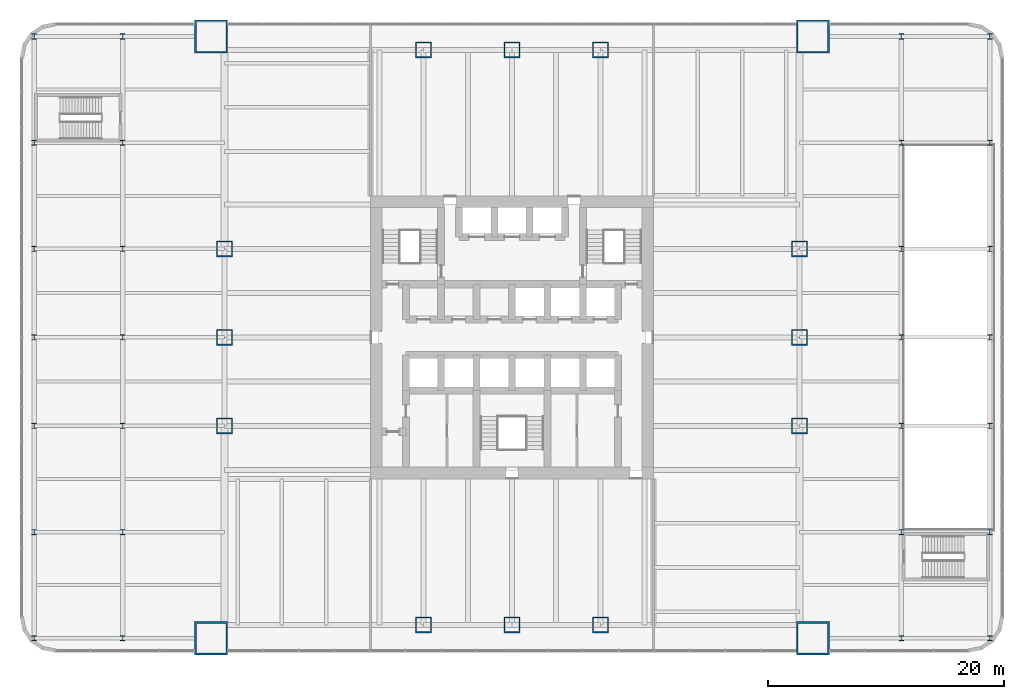
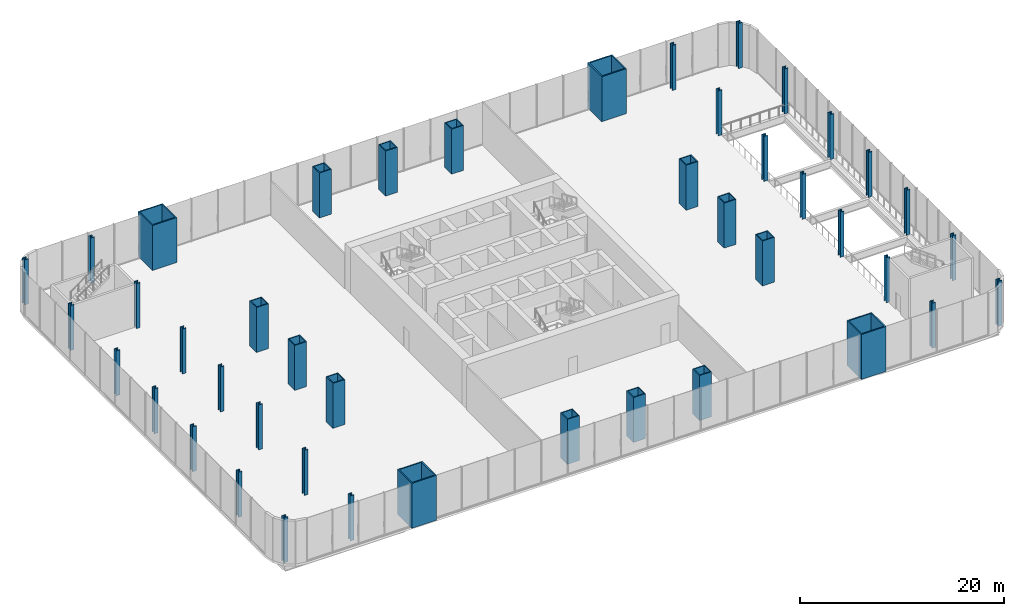
# One storey, part 1 of 16: 44 columns.
"""IFC4 building model written with IfcOpenShell, lengths in metres."""

from ifc_helpers import new_model, si_unit, direction, frame, origin, origin_2d, place, context, subcontext, project, spatial, hollow_rectangle, i_section, extrude, material, material_profile, profile_set, type_object, element, save


model = new_model("IFC4")

# Units and contexts
model_context = context("Model", 3, precision=1e-05, world=origin(), true_north=direction((0.0, 1.0)))
body_context = subcontext(model_context, "Body", "Model", "MODEL_VIEW")
ifc_project = project(units=[si_unit("LENGTHUNIT", "METRE"), si_unit("AREAUNIT", "SQUARE_METRE"), si_unit("VOLUMEUNIT", "CUBIC_METRE"), si_unit("PLANEANGLEUNIT", "RADIAN"), si_unit("MASSUNIT", "GRAM", prefix="KILO")], contexts=[model_context])

# Site, building, storey
site_placement = place(None, origin())
site = spatial("IfcSite", under=ifc_project, at=site_placement, CompositionType="ELEMENT")
building_placement = place(site_placement, origin())
building = spatial("IfcBuilding", under=site, at=building_placement, Name="Tarangal Relay Tower", CompositionType="ELEMENT")
storey_placement = place(building_placement, frame((0.0, 0.0, 12.60009765625)))
storey = spatial("IfcBuildingStorey", under=building, at=storey_placement, Name="L02", CompositionType="ELEMENT", Elevation=12.60009765625)

# Columns
ifc_material_1 = material(Name="Steel ASTM A572 Grade 42", Category="steel")
ifc_material_profile_1 = material_profile(ifc_material_1, hollow_rectangle(XDim=2.800048828125, YDim=2.800048828125, WallThickness=0.139892578125, at=origin_2d()), Name="BOX2800X2800X140")
ifc_profile_set_1 = profile_set([ifc_material_profile_1], Name="Steel ASTM A572 Grade 42")
column_type_1 = type_object("IfcColumnType", Name="Mega column BOX2800X2800X140", PredefinedType="COLUMN", material=ifc_profile_set_1)
for number, where, z_axis, x_axis, name in (
    (1, (25.5, 25.5, 0.0), (0.0, 0.0, 1.0), (1.0, 0.0, 0.0), "Mega column MC1 NE L02"),
    (2, (25.5, -25.5, 0.0), (0.0, 0.0, 1.0), (1.0, 0.0, 0.0), "Mega column MC1 SE L02"),
    (3, (-25.5, -25.5, 0.0), (0.0, 0.0, 1.0), (1.0, 0.0, 0.0), "Mega column MC1 SW L02"),
    (4, (-25.5, 25.5, 0.0), (0.0, 0.0, 1.0), (1.0, 0.0, 0.0), "Mega column MC1 NW L02"),
):
    element("IfcColumn", number, at=place(storey_placement, frame(where, z_axis=z_axis, x_axis=x_axis)), inside=storey, type_object=column_type_1, Name=name, PredefinedType="COLUMN", context=body_context, shape_type="SweptSolid", body=[
        extrude(hollow_rectangle(XDim=2.800048828125, YDim=2.800048828125, WallThickness=0.139892578125, at=origin_2d()), origin(), (0.0, 0.0, 1.0), 5.39990234375),
    ])
ifc_material_2 = material(Name="Steel ASTM A572 Grade 50", Category="steel")
ifc_material_profile_2 = material_profile(ifc_material_2, hollow_rectangle(XDim=1.35009765625, YDim=1.35009765625, WallThickness=0.10009765625, at=origin_2d()), Name="BOX1350X1350X100")
ifc_profile_set_2 = profile_set([ifc_material_profile_2], Name="Steel ASTM A572 Grade 50")
column_type_2 = type_object("IfcColumnType", Name="Perimeter column BOX1350X1350X100", PredefinedType="COLUMN", material=ifc_profile_set_2)
for number, where, z_axis, x_axis, name in (
    (5, (-7.5, 24.364990234375, 0.0), (0.0, 0.0, 1.0), (1.0, 0.0, 0.0), "Perimeter column PC1 N L02"),
    (6, (0.0, 24.364990234375, 0.0), (0.0, 0.0, 1.0), (1.0, 0.0, 0.0), "Perimeter column PC1 N L02"),
    (7, (7.5, 24.364990234375, 0.0), (0.0, 0.0, 1.0), (1.0, 0.0, 0.0), "Perimeter column PC1 N L02"),
    (8, (24.364990234375, 7.5, 0.0), (0.0, 0.0, 1.0), (1.0, 0.0, 0.0), "Perimeter column PC1 E L02"),
    (9, (24.364990234375, 0.0, 0.0), (0.0, 0.0, 1.0), (1.0, 0.0, 0.0), "Perimeter column PC1 E L02"),
    (10, (24.364990234375, -7.5, 0.0), (0.0, 0.0, 1.0), (1.0, 0.0, 0.0), "Perimeter column PC1 E L02"),
    (11, (7.5, -24.364990234375, 0.0), (0.0, 0.0, 1.0), (1.0, 0.0, 0.0), "Perimeter column PC1 S L02"),
    (12, (0.0, -24.364990234375, 0.0), (0.0, 0.0, 1.0), (1.0, 0.0, 0.0), "Perimeter column PC1 S L02"),
    (13, (-7.5, -24.364990234375, 0.0), (0.0, 0.0, 1.0), (1.0, 0.0, 0.0), "Perimeter column PC1 S L02"),
    (14, (-24.364990234375, -7.5, 0.0), (0.0, 0.0, 1.0), (1.0, 0.0, 0.0), "Perimeter column PC1 W L02"),
    (15, (-24.364990234375, 0.0, 0.0), (0.0, 0.0, 1.0), (1.0, 0.0, 0.0), "Perimeter column PC1 W L02"),
    (16, (-24.364990234375, 7.5, 0.0), (0.0, 0.0, 1.0), (1.0, 0.0, 0.0), "Perimeter column PC1 W L02"),
):
    element("IfcColumn", number, at=place(storey_placement, frame(where, z_axis=z_axis, x_axis=x_axis)), inside=storey, type_object=column_type_2, Name=name, PredefinedType="COLUMN", context=body_context, shape_type="SweptSolid", body=[
        extrude(hollow_rectangle(XDim=1.35009765625, YDim=1.35009765625, WallThickness=0.10009765625, at=origin_2d()), origin(), (0.0, 0.0, 1.0), 5.39990234375),
    ])
ifc_material_3 = material(Name="Steel ASTM A992", Category="steel")
ifc_material_profile_3 = material_profile(ifc_material_3, i_section(OverallWidth=0.42431640625, OverallDepth=0.47509765625, WebThickness=0.0478515625, FlangeThickness=0.0771484375, at=origin_2d()), Name="W14X426")
ifc_profile_set_3 = profile_set([ifc_material_profile_3], Name="Steel ASTM A992")
column_type_3 = type_object("IfcColumnType", Name="Podium column W14X426", PredefinedType="COLUMN", material=ifc_profile_set_3)
for number, where, z_axis, x_axis, name in (
    (17, (-33.0, -25.5, 0.0), (0.0, 0.0, 1.0), (1.0, 0.0, 0.0), "Podium column PW1 L02"),
    (18, (-33.0, -16.5, 0.0), (0.0, 0.0, 1.0), (1.0, 0.0, 0.0), "Podium column PW1 L02"),
    (19, (-33.0, -7.5, 0.0), (0.0, 0.0, 1.0), (1.0, 0.0, 0.0), "Podium column PW1 L02"),
    (20, (-33.0, 0.0, 0.0), (0.0, 0.0, 1.0), (1.0, 0.0, 0.0), "Podium column PW1 L02"),
    (21, (-33.0, 7.5, 0.0), (0.0, 0.0, 1.0), (1.0, 0.0, 0.0), "Podium column PW1 L02"),
    (22, (-33.0, 16.5, 0.0), (0.0, 0.0, 1.0), (1.0, 0.0, 0.0), "Podium column PW1 L02"),
    (23, (-33.0, 25.5, 0.0), (0.0, 0.0, 1.0), (1.0, 0.0, 0.0), "Podium column PW1 L02"),
    (24, (-40.5, -25.5, 0.0), (0.0, 0.0, 1.0), (1.0, 0.0, 0.0), "Podium column PW1 L02"),
    (25, (-40.5, -16.5, 0.0), (0.0, 0.0, 1.0), (1.0, 0.0, 0.0), "Podium column PW1 L02"),
    (26, (-40.5, -7.5, 0.0), (0.0, 0.0, 1.0), (1.0, 0.0, 0.0), "Podium column PW1 L02"),
    (27, (-40.5, 0.0, 0.0), (0.0, 0.0, 1.0), (1.0, 0.0, 0.0), "Podium column PW1 L02"),
    (28, (-40.5, 7.5, 0.0), (0.0, 0.0, 1.0), (1.0, 0.0, 0.0), "Podium column PW1 L02"),
    (29, (-40.5, 16.5, 0.0), (0.0, 0.0, 1.0), (1.0, 0.0, 0.0), "Podium column PW1 L02"),
    (30, (-40.5, 25.5, 0.0), (0.0, 0.0, 1.0), (1.0, 0.0, 0.0), "Podium column PW1 L02"),
    (31, (33.0, -25.5, 0.0), (0.0, 0.0, 1.0), (1.0, 0.0, 0.0), "Podium column PW1 L02"),
    (32, (33.0, -16.5, 0.0), (0.0, 0.0, 1.0), (1.0, 0.0, 0.0), "Podium column PW1 L02"),
    (33, (33.0, -7.5, 0.0), (0.0, 0.0, 1.0), (1.0, 0.0, 0.0), "Podium column PW1 L02"),
    (34, (33.0, 0.0, 0.0), (0.0, 0.0, 1.0), (1.0, 0.0, 0.0), "Podium column PW1 L02"),
    (35, (33.0, 7.5, 0.0), (0.0, 0.0, 1.0), (1.0, 0.0, 0.0), "Podium column PW1 L02"),
    (36, (33.0, 16.5, 0.0), (0.0, 0.0, 1.0), (1.0, 0.0, 0.0), "Podium column PW1 L02"),
    (37, (33.0, 25.5, 0.0), (0.0, 0.0, 1.0), (1.0, 0.0, 0.0), "Podium column PW1 L02"),
    (38, (40.5, -25.5, 0.0), (0.0, 0.0, 1.0), (1.0, 0.0, 0.0), "Podium column PW1 L02"),
    (39, (40.5, -16.5, 0.0), (0.0, 0.0, 1.0), (1.0, 0.0, 0.0), "Podium column PW1 L02"),
    (40, (40.5, -7.5, 0.0), (0.0, 0.0, 1.0), (1.0, 0.0, 0.0), "Podium column PW1 L02"),
    (41, (40.5, 0.0, 0.0), (0.0, 0.0, 1.0), (1.0, 0.0, 0.0), "Podium column PW1 L02"),
    (42, (40.5, 7.5, 0.0), (0.0, 0.0, 1.0), (1.0, 0.0, 0.0), "Podium column PW1 L02"),
    (43, (40.5, 16.5, 0.0), (0.0, 0.0, 1.0), (1.0, 0.0, 0.0), "Podium column PW1 L02"),
    (44, (40.5, 25.5, 0.0), (0.0, 0.0, 1.0), (1.0, 0.0, 0.0), "Podium column PW1 L02"),
):
    element("IfcColumn", number, at=place(storey_placement, frame(where, z_axis=z_axis, x_axis=x_axis)), inside=storey, type_object=column_type_3, Name=name, PredefinedType="COLUMN", context=body_context, shape_type="SweptSolid", body=[
        extrude(i_section(OverallWidth=0.42431640625, OverallDepth=0.47509765625, WebThickness=0.0478515625, FlangeThickness=0.0771484375, at=origin_2d()), origin(), (0.0, 0.0, 1.0), 5.39990234375),
    ])

save(model, "model.ifc")
